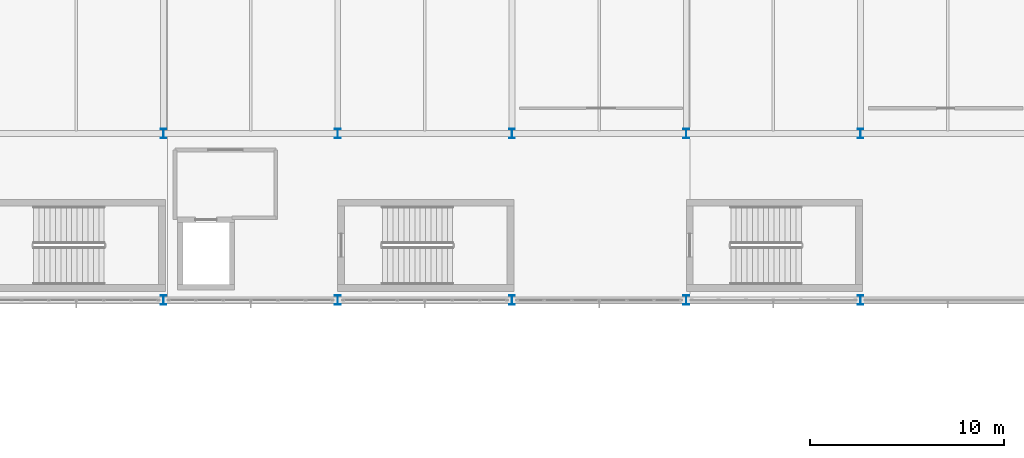
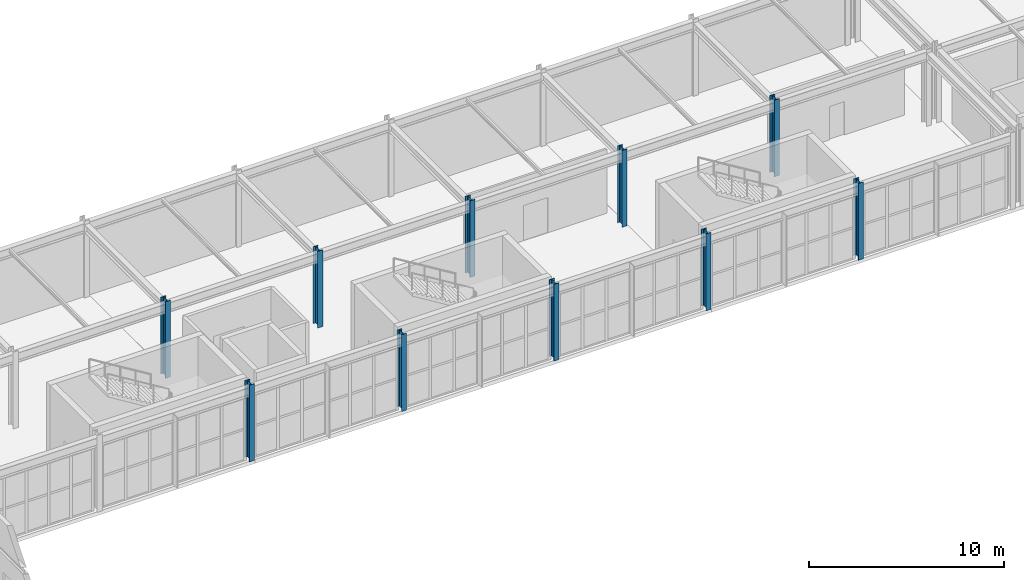
# One storey, part 3 of 112: 10 columns.
"""IFC4 building model written with IfcOpenShell, lengths in metres."""

from ifc_helpers import new_model, si_unit, direction, frame, origin, origin_2d, place, context, subcontext, project, spatial, i_section, extrude, material, material_profile, profile_set, type_object, element, save


model = new_model("IFC4")

# Units and contexts
model_context = context("Model", 3, precision=1e-05, world=origin(), true_north=direction((0.0, 1.0)))
body_context = subcontext(model_context, "Body", "Model", "MODEL_VIEW")
ifc_project = project(units=[si_unit("LENGTHUNIT", "METRE"), si_unit("AREAUNIT", "SQUARE_METRE"), si_unit("VOLUMEUNIT", "CUBIC_METRE"), si_unit("PLANEANGLEUNIT", "RADIAN"), si_unit("MASSUNIT", "GRAM", prefix="KILO")], contexts=[model_context])

# Site, building, storey
site_placement = place(None, origin())
site = spatial("IfcSite", under=ifc_project, at=site_placement, CompositionType="ELEMENT")
building_placement = place(site_placement, origin())
building = spatial("IfcBuilding", under=site, at=building_placement, Name="Kaldris Quays Convention Centre", CompositionType="ELEMENT")
storey_placement = place(building_placement, frame((0.0, 0.0, 16.800048828125)))
storey = spatial("IfcBuildingStorey", under=building, at=storey_placement, Name="L03", CompositionType="ELEMENT", Elevation=16.800048828125)

# Columns
ifc_material = material(Name="Steel S355J2", Category="steel")
ifc_material_profile = material_profile(ifc_material, i_section(OverallWidth=0.300048828125, OverallDepth=0.5, WebThickness=0.014404296875, FlangeThickness=0.028076171875, FilletRadius=0.027099609375, at=origin_2d()), Name="HEB 500")
ifc_profile_set = profile_set([ifc_material_profile], Name="Steel S355J2")
column_type = type_object("IfcColumnType", Name="STRUCTURAL COLUMN CL07", PredefinedType="COLUMN", material=ifc_profile_set)
for number, where, z_axis, x_axis, name in (
    (1, (101.0, 38.0, 0.0), (0.0, 0.0, 1.0), (1.0, 0.0, 0.0), "L03 V4 Column CL07 (101.00, 38.00)"),
    (2, (101.0, 46.60009765625, 0.0), (0.0, 0.0, 1.0), (1.0, 0.0, 0.0), "L03 V4 Column CL07 (101.00, 46.60)"),
    (3, (110.0, 38.0, 0.0), (0.0, 0.0, 1.0), (1.0, 0.0, 0.0), "L03 V4 Column CL07 (110.00, 38.00)"),
    (4, (110.0, 46.60009765625, 0.0), (0.0, 0.0, 1.0), (1.0, 0.0, 0.0), "L03 V4 Column CL07 (110.00, 46.60)"),
    (5, (119.0, 38.0, 0.0), (0.0, 0.0, 1.0), (1.0, 0.0, 0.0), "L03 V4 Column CL07 (119.00, 38.00)"),
    (6, (119.0, 46.60009765625, 0.0), (0.0, 0.0, 1.0), (1.0, 0.0, 0.0), "L03 V4 Column CL07 (119.00, 46.60)"),
    (7, (128.0, 38.0, 0.0), (0.0, 0.0, 1.0), (1.0, 0.0, 0.0), "L03 V4 Column CL07 (128.00, 38.00)"),
    (8, (128.0, 46.60009765625, 0.0), (0.0, 0.0, 1.0), (1.0, 0.0, 0.0), "L03 V4 Column CL07 (128.00, 46.60)"),
    (9, (137.0, 38.0, 0.0), (0.0, 0.0, 1.0), (1.0, 0.0, 0.0), "L03 V4 Column CL07 (137.00, 38.00)"),
    (10, (137.0, 46.60009765625, 0.0), (0.0, 0.0, 1.0), (1.0, 0.0, 0.0), "L03 V4 Column CL07 (137.00, 46.60)"),
):
    element("IfcColumn", number, at=place(storey_placement, frame(where, z_axis=z_axis, x_axis=x_axis)), inside=storey, type_object=column_type, Name=name, PredefinedType="COLUMN", context=body_context, shape_type="SweptSolid", body=[
        extrude(i_section(OverallWidth=0.300048828125, OverallDepth=0.5, WebThickness=0.014404296875, FlangeThickness=0.028076171875, FilletRadius=0.027099609375, at=origin_2d()), origin(), (0.0, 0.0, 1.0), 4.800048828125),
    ])

save(model, "model.ifc")
